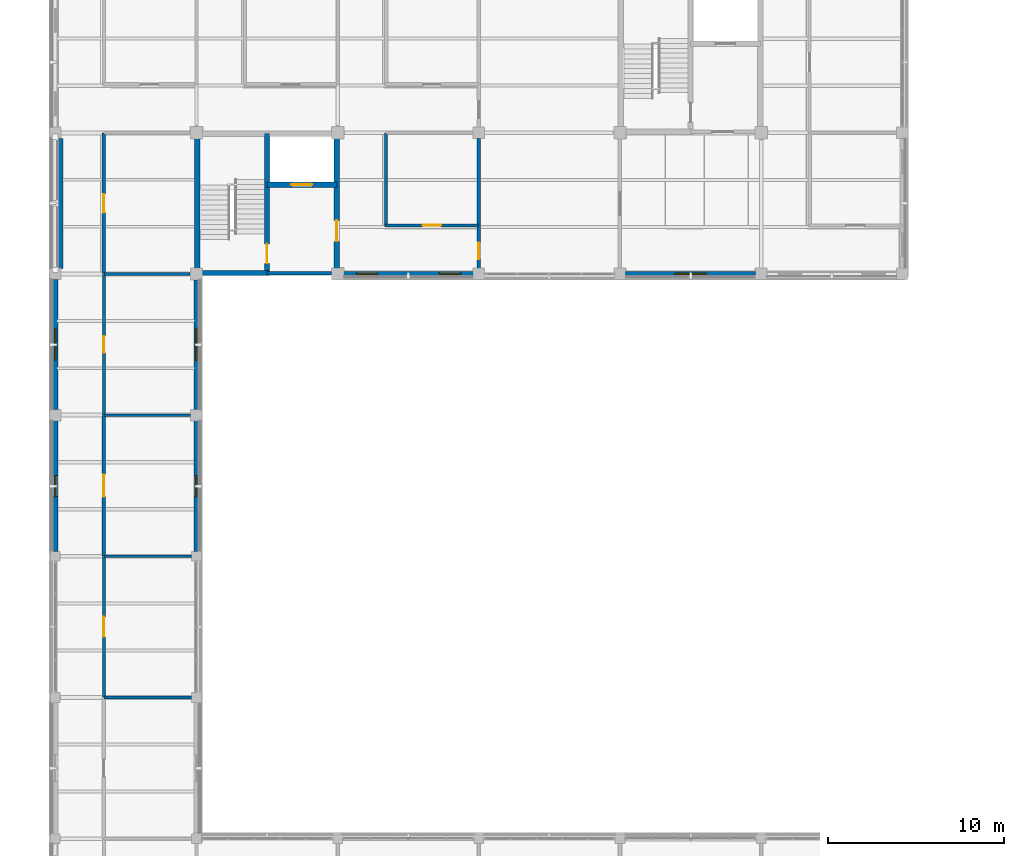
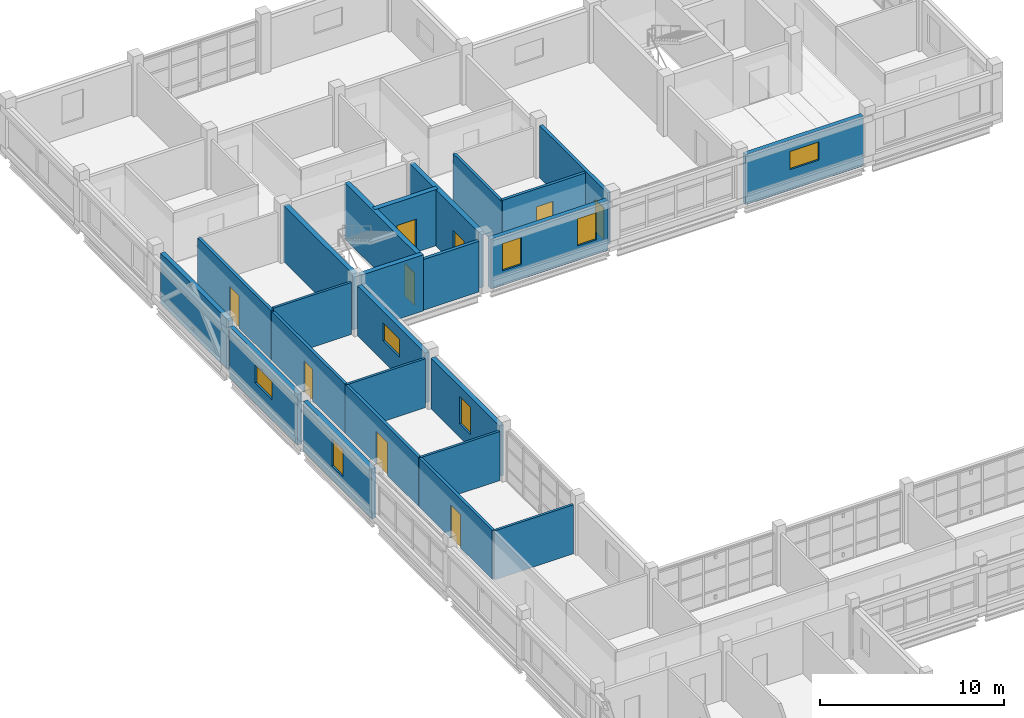
# One storey, part 78 of 107: 24 walls, 9 doors, 7 windows, 16 openings.
"""IFC4 building model written with IfcOpenShell, lengths in metres."""

from ifc_helpers import new_model, si_unit, derived_unit, direction, frame, frame_2d, origin, place, context, subcontext, project, spatial, rectangle, extrude, material, layer, layer_set, type_object, element, fill, save


model = new_model("IFC4")

# Units and contexts
model_context = context("Model", 3, precision=1e-05, world=origin(), true_north=direction((0.0, 1.0)))
body_context = subcontext(model_context, "Body", "Model", "MODEL_VIEW")
ifc_project = project(units=[si_unit("LENGTHUNIT", "METRE"), si_unit("AREAUNIT", "SQUARE_METRE"), si_unit("VOLUMEUNIT", "CUBIC_METRE"), si_unit("PLANEANGLEUNIT", "RADIAN"), si_unit("MASSUNIT", "GRAM", prefix="KILO"), derived_unit("THERMALTRANSMITTANCEUNIT", [(si_unit("MASSUNIT", "GRAM", prefix="KILO"), 1), (si_unit("TIMEUNIT", "SECOND"), -3), (si_unit("THERMODYNAMICTEMPERATUREUNIT", "KELVIN"), -1)])], contexts=[model_context])

# Site, building, storey
site_placement = place(None, origin())
site = spatial("IfcSite", under=ifc_project, at=site_placement, CompositionType="ELEMENT")
building_placement = place(site_placement, origin())
building = spatial("IfcBuilding", under=site, at=building_placement, Name="Veyamyaing Civic Hall", CompositionType="ELEMENT")
storey_placement = place(building_placement, frame((0.0, 0.0, 13.860107421875)))
storey = spatial("IfcBuildingStorey", under=building, at=storey_placement, Name="L03", CompositionType="ELEMENT", Elevation=13.860107421875)

# Wall, opening, window
ifc_material_1 = material(Name="Precast concrete C40/50", Category="concrete")
ifc_layer_1 = layer(ifc_material_1, 0.280029296875, Name="Precast concrete C40/50")
ifc_layer_set_1 = layer_set([ifc_layer_1], Name="Precast concrete C40/50")
wall_type_1 = type_object("IfcWallType", Name="WT-04", PredefinedType="SOLIDWALL", material=ifc_layer_set_1)
wall_1_placement = place(storey_placement, frame((0.0, 72.260009765625, 0.0), z_axis=(0.0, 0.0, 1.0), x_axis=(0.0, 1.0, 0.0)))
wall_1 = element("IfcWall", 1, at=wall_1_placement, inside=storey, type_object=wall_type_1, Name="Exterior facade wall WT-04 L03 W 1.10", PredefinedType="SOLIDWALL", context=body_context, shape_type="SweptSolid", body=[
    extrude(rectangle(XDim=7.429931640625, YDim=0.280029296875, at=frame_2d((3.71484375, 0.0))), origin(), (0.0, 0.0, 1.0), 3.2998046875),
])
opening_1_placement = place(wall_1_placement, frame((3.114990234375, 0.0, 0.89990234375)))
opening_1 = element("IfcOpeningElement", 2, at=opening_1_placement, cuts=wall_1, Name="Opening W-14", PredefinedType="OPENING", context=body_context, shape_type="SweptSolid", body=[
    extrude(rectangle(XDim=1.199951171875, YDim=1.800048828125, at=frame_2d((0.60009765625, 0.89990234375))), frame((0.0, 0.14990234375, 0.0), z_axis=(0.0, -1.0, 0.0), x_axis=(1.0, 0.0, 0.0)), (0.0, 0.0, 1.0), 0.300048828125),
])
ifc_material_2 = material(Name="Low-E insulated glass", Category="glass")
window_type_1 = type_object("IfcWindowType", Name="W-14", PartitioningType="SINGLE_PANEL", PredefinedType="WINDOW", material=ifc_material_2)
window_1_placement = place(opening_1_placement, origin())
window_1 = element("IfcWindow", 3, at=window_1_placement, inside=storey, type_object=window_type_1, Name="Facade window W-14 L03 W 1.10", OverallHeight=1.800048828125, OverallWidth=1.199951171875, PartitioningType="SINGLE_PANEL", PredefinedType="WINDOW", context=body_context, shape_type="SweptSolid", body=[
    extrude(rectangle(XDim=1.199951171875, YDim=1.800048828125, at=frame_2d((0.60009765625, 0.89990234375))), frame((0.0, 0.030029296875, 0.0), z_axis=(0.0, -1.0, 0.0), x_axis=(1.0, 0.0, 0.0)), (0.0, 0.0, 1.0), 0.06005859375),
])
fill(opening_1, window_1)

wall_2_placement = place(storey_placement, frame((8.0, 72.260009765625, 0.0), z_axis=(0.0, 0.0, 1.0), x_axis=(0.0, 1.0, 0.0)))
wall_2 = element("IfcWall", 4, at=wall_2_placement, inside=storey, type_object=wall_type_1, Name="Exterior facade wall WT-04 L03 E 1.10", PredefinedType="SOLIDWALL", context=body_context, shape_type="SweptSolid", body=[
    extrude(rectangle(XDim=7.429931640625, YDim=0.280029296875, at=frame_2d((3.71484375, 0.0))), origin(), (0.0, 0.0, 1.0), 3.364013671875),
])
opening_2_placement = place(wall_2_placement, frame((3.114990234375, 0.0, 0.89990234375)))
opening_2 = element("IfcOpeningElement", 5, at=opening_2_placement, cuts=wall_2, Name="Opening W-14", PredefinedType="OPENING", context=body_context, shape_type="SweptSolid", body=[
    extrude(rectangle(XDim=1.199951171875, YDim=1.800048828125, at=frame_2d((0.60009765625, 0.89990234375))), frame((0.0, 0.14990234375, 0.0), z_axis=(0.0, -1.0, 0.0), x_axis=(1.0, 0.0, 0.0)), (0.0, 0.0, 1.0), 0.300048828125),
])
window_2_placement = place(opening_2_placement, origin())
window_2 = element("IfcWindow", 6, at=window_2_placement, inside=storey, type_object=window_type_1, Name="Facade window W-14 L03 E 1.10", OverallHeight=1.800048828125, OverallWidth=1.199951171875, PartitioningType="SINGLE_PANEL", PredefinedType="WINDOW", context=body_context, shape_type="SweptSolid", body=[
    extrude(rectangle(XDim=1.199951171875, YDim=1.800048828125, at=frame_2d((0.60009765625, 0.89990234375))), frame((0.0, 0.030029296875, 0.0), z_axis=(0.0, -1.0, 0.0), x_axis=(1.0, 0.0, 0.0)), (0.0, 0.0, 1.0), 0.06005859375),
])
fill(opening_2, window_2)

wall_3_placement = place(storey_placement, frame((0.0, 80.31005859375, 0.0), z_axis=(0.0, 0.0, 1.0), x_axis=(0.0, 1.0, 0.0)))
wall_3 = element("IfcWall", 7, at=wall_3_placement, inside=storey, type_object=wall_type_1, Name="Exterior facade wall WT-04 L03 W 1.11", PredefinedType="SOLIDWALL", context=body_context, shape_type="SweptSolid", body=[
    extrude(rectangle(XDim=7.3798828125, YDim=0.280029296875, at=frame_2d((3.68994140625, 0.0))), origin(), (0.0, 0.0, 1.0), 3.364013671875),
])
opening_3_placement = place(wall_3_placement, frame((2.7900390625, 0.0, 1.35009765625)))
opening_3 = element("IfcOpeningElement", 8, at=opening_3_placement, cuts=wall_3, Name="Opening W-19", PredefinedType="OPENING", context=body_context, shape_type="SweptSolid", body=[
    extrude(rectangle(XDim=1.800048828125, YDim=1.199951171875, at=frame_2d((0.89990234375, 0.60009765625))), frame((0.0, 0.14990234375, 0.0), z_axis=(0.0, -1.0, 0.0), x_axis=(1.0, 0.0, 0.0)), (0.0, 0.0, 1.0), 0.300048828125),
])
window_type_2 = type_object("IfcWindowType", Name="W-19", PartitioningType="SINGLE_PANEL", PredefinedType="WINDOW", material=ifc_material_2)
window_3_placement = place(opening_3_placement, origin())
window_3 = element("IfcWindow", 9, at=window_3_placement, inside=storey, type_object=window_type_2, Name="Facade window W-19 L03 W 1.11", OverallHeight=1.199951171875, OverallWidth=1.800048828125, PartitioningType="SINGLE_PANEL", PredefinedType="WINDOW", context=body_context, shape_type="SweptSolid", body=[
    extrude(rectangle(XDim=1.800048828125, YDim=1.199951171875, at=frame_2d((0.89990234375, 0.60009765625))), frame((0.0, 0.030029296875, 0.0), z_axis=(0.0, -1.0, 0.0), x_axis=(1.0, 0.0, 0.0)), (0.0, 0.0, 1.0), 0.06005859375),
])
fill(opening_3, window_3)

wall_4_placement = place(storey_placement, frame((8.0, 80.31005859375, 0.0), z_axis=(0.0, 0.0, 1.0), x_axis=(0.0, 1.0, 0.0)))
wall_4 = element("IfcWall", 10, at=wall_4_placement, inside=storey, type_object=wall_type_1, Name="Exterior facade wall WT-04 L03 E 1.11", PredefinedType="SOLIDWALL", context=body_context, shape_type="SweptSolid", body=[
    extrude(rectangle(XDim=7.35498046875, YDim=0.280029296875, at=frame_2d((3.677490234375, 0.0))), origin(), (0.0, 0.0, 1.0), 3.303955078125),
])
opening_4_placement = place(wall_4_placement, frame((2.777587890625, 0.0, 1.35009765625)))
opening_4 = element("IfcOpeningElement", 11, at=opening_4_placement, cuts=wall_4, Name="Opening W-19", PredefinedType="OPENING", context=body_context, shape_type="SweptSolid", body=[
    extrude(rectangle(XDim=1.800048828125, YDim=1.199951171875, at=frame_2d((0.89990234375, 0.60009765625))), frame((0.0, 0.14990234375, 0.0), z_axis=(0.0, -1.0, 0.0), x_axis=(1.0, 0.0, 0.0)), (0.0, 0.0, 1.0), 0.300048828125),
])
window_4_placement = place(opening_4_placement, origin())
window_4 = element("IfcWindow", 12, at=window_4_placement, inside=storey, type_object=window_type_2, Name="Facade window W-19 L03 E 1.11", OverallHeight=1.199951171875, OverallWidth=1.800048828125, PartitioningType="SINGLE_PANEL", PredefinedType="WINDOW", context=body_context, shape_type="SweptSolid", body=[
    extrude(rectangle(XDim=1.800048828125, YDim=1.199951171875, at=frame_2d((0.89990234375, 0.60009765625))), frame((0.0, 0.030029296875, 0.0), z_axis=(0.0, -1.0, 0.0), x_axis=(1.0, 0.0, 0.0)), (0.0, 0.0, 1.0), 0.06005859375),
])
fill(opening_4, window_4)

# Wall
wall_5_placement = place(storey_placement, frame((0.300048828125, 88.31005859375, 0.0), z_axis=(0.0, 0.0, 1.0), x_axis=(0.0, 1.0, 0.0)))
element("IfcWall", 13, at=wall_5_placement, inside=storey, type_object=wall_type_1, Name="Exterior facade wall WT-04 L03 W 1.12", PredefinedType="SOLIDWALL", context=body_context, shape_type="SweptSolid", body=[
    extrude(rectangle(XDim=7.3798828125, YDim=0.280029296875, at=frame_2d((3.68994140625, 0.0))), origin(), (0.0, 0.0, 1.0), 3.303955078125),
])

# Wall, openings, windows
wall_6_placement = place(storey_placement, frame((16.3349609375, 88.0, 0.0), z_axis=(0.0, 0.0, 1.0), x_axis=(1.0, 0.0, 0.0)))
wall_6 = element("IfcWall", 14, at=wall_6_placement, inside=storey, type_object=wall_type_1, Name="Exterior facade wall WT-04 L03 S 3.12", PredefinedType="SOLIDWALL", context=body_context, shape_type="SweptSolid", body=[
    extrude(rectangle(XDim=7.35498046875, YDim=0.280029296875, at=frame_2d((3.677490234375, 0.0))), origin(), (0.0, 0.0, 1.0), 3.2998046875),
])
opening_5_placement = place(wall_6_placement, frame((0.723876953125, 0.0, 0.949951171875)))
opening_5 = element("IfcOpeningElement", 15, at=opening_5_placement, cuts=wall_6, Name="Opening W-14", PredefinedType="OPENING", context=body_context, shape_type="SweptSolid", body=[
    extrude(rectangle(XDim=1.199951171875, YDim=1.800048828125, at=frame_2d((0.60009765625, 0.89990234375))), frame((0.0, 0.14990234375, 0.0), z_axis=(0.0, -1.0, 0.0), x_axis=(1.0, 0.0, 0.0)), (0.0, 0.0, 1.0), 0.300048828125),
])
opening_6_placement = place(wall_6_placement, frame((5.43115234375, 0.0, 0.949951171875)))
opening_6 = element("IfcOpeningElement", 16, at=opening_6_placement, cuts=wall_6, Name="Opening W-14", PredefinedType="OPENING", context=body_context, shape_type="SweptSolid", body=[
    extrude(rectangle(XDim=1.199951171875, YDim=1.800048828125, at=frame_2d((0.60009765625, 0.89990234375))), frame((0.0, 0.14990234375, 0.0), z_axis=(0.0, -1.0, 0.0), x_axis=(1.0, 0.0, 0.0)), (0.0, 0.0, 1.0), 0.300048828125),
])
window_5_placement = place(opening_5_placement, origin())
window_5 = element("IfcWindow", 17, at=window_5_placement, inside=storey, type_object=window_type_1, Name="Facade window W-14 L03 S 3.12.1", OverallHeight=1.800048828125, OverallWidth=1.199951171875, PartitioningType="SINGLE_PANEL", PredefinedType="WINDOW", context=body_context, shape_type="SweptSolid", body=[
    extrude(rectangle(XDim=1.199951171875, YDim=1.800048828125, at=frame_2d((0.60009765625, 0.89990234375))), frame((0.0, 0.030029296875, 0.0), z_axis=(0.0, -1.0, 0.0), x_axis=(1.0, 0.0, 0.0)), (0.0, 0.0, 1.0), 0.06005859375),
])
fill(opening_5, window_5)
window_6_placement = place(opening_6_placement, origin())
window_6 = element("IfcWindow", 18, at=window_6_placement, inside=storey, type_object=window_type_1, Name="Facade window W-14 L03 S 3.12.2", OverallHeight=1.800048828125, OverallWidth=1.199951171875, PartitioningType="SINGLE_PANEL", PredefinedType="WINDOW", context=body_context, shape_type="SweptSolid", body=[
    extrude(rectangle(XDim=1.199951171875, YDim=1.800048828125, at=frame_2d((0.60009765625, 0.89990234375))), frame((0.0, 0.030029296875, 0.0), z_axis=(0.0, -1.0, 0.0), x_axis=(1.0, 0.0, 0.0)), (0.0, 0.0, 1.0), 0.06005859375),
])
fill(opening_6, window_6)

# Wall, opening, window
wall_7_placement = place(storey_placement, frame((32.31005859375, 88.0, 0.0), z_axis=(0.0, 0.0, 1.0), x_axis=(1.0, 0.0, 0.0)))
wall_7 = element("IfcWall", 19, at=wall_7_placement, inside=storey, type_object=wall_type_1, Name="Exterior facade wall WT-04 L03 S 5.12", PredefinedType="SOLIDWALL", context=body_context, shape_type="SweptSolid", body=[
    extrude(rectangle(XDim=7.3798828125, YDim=0.280029296875, at=frame_2d((3.68994140625, 0.0))), origin(), (0.0, 0.0, 1.0), 3.303955078125),
])
opening_7_placement = place(wall_7_placement, frame((2.7900390625, 0.0, 1.35009765625)))
opening_7 = element("IfcOpeningElement", 20, at=opening_7_placement, cuts=wall_7, Name="Opening W-19", PredefinedType="OPENING", context=body_context, shape_type="SweptSolid", body=[
    extrude(rectangle(XDim=1.800048828125, YDim=1.199951171875, at=frame_2d((0.89990234375, 0.60009765625))), frame((0.0, 0.14990234375, 0.0), z_axis=(0.0, -1.0, 0.0), x_axis=(1.0, 0.0, 0.0)), (0.0, 0.0, 1.0), 0.300048828125),
])
window_7_placement = place(opening_7_placement, origin())
window_7 = element("IfcWindow", 21, at=window_7_placement, inside=storey, type_object=window_type_2, Name="Facade window W-19 L03 S 5.12", OverallHeight=1.199951171875, OverallWidth=1.800048828125, PartitioningType="SINGLE_PANEL", PredefinedType="WINDOW", context=body_context, shape_type="SweptSolid", body=[
    extrude(rectangle(XDim=1.800048828125, YDim=1.199951171875, at=frame_2d((0.89990234375, 0.60009765625))), frame((0.0, 0.030029296875, 0.0), z_axis=(0.0, -1.0, 0.0), x_axis=(1.0, 0.0, 0.0)), (0.0, 0.0, 1.0), 0.06005859375),
])
fill(opening_7, window_7)

# Wall
ifc_material_3 = material(Name="Concrete C40/50", Category="concrete")
ifc_layer_2 = layer(ifc_material_3, 0.300048828125, Name="Concrete C40/50")
ifc_layer_set_2 = layer_set([ifc_layer_2], Name="Concrete C40/50")
wall_type_2 = type_object("IfcWallType", Name="WT-05", PredefinedType="SHEAR", material=ifc_layer_set_2)
wall_8_placement = place(storey_placement, frame((8.050048828125, 88.239990234375, 0.0), z_axis=(0.0, 0.0, 1.0), x_axis=(0.0, 1.0, 0.0)))
element("IfcWall", 22, at=wall_8_placement, inside=storey, type_object=wall_type_2, Name="Core shear wall WT-05 CORE-1 L03.W", PredefinedType="SHEAR", context=body_context, shape_type="SweptSolid", body=[
    extrude(rectangle(XDim=7.52001953125, YDim=0.300048828125, at=frame_2d((3.760009765625, 0.0))), origin(), (0.0, 0.0, 1.0), 3.724853515625),
])

# Wall, opening, door
wall_9_placement = place(storey_placement, frame((15.949951171875, 88.239990234375, 0.0), z_axis=(0.0, 0.0, 1.0), x_axis=(0.0, 1.0, 0.0)))
wall_9 = element("IfcWall", 23, at=wall_9_placement, inside=storey, type_object=wall_type_2, Name="Core shear wall WT-05 CORE-1 L03.E", PredefinedType="SHEAR", context=body_context, shape_type="SweptSolid", body=[
    extrude(rectangle(XDim=7.52001953125, YDim=0.300048828125, at=frame_2d((3.760009765625, 0.0))), origin(), (0.0, 0.0, 1.0), 3.724853515625),
])
opening_8_placement = place(wall_9_placement, frame((1.60009765625, 0.0, 0.0)))
opening_8 = element("IfcOpeningElement", 24, at=opening_8_placement, cuts=wall_9, Name="Opening D-04", PredefinedType="OPENING", context=body_context, shape_type="SweptSolid", body=[
    extrude(rectangle(XDim=1.199951171875, YDim=2.14990234375, at=frame_2d((0.60009765625, 1.074951171875))), frame((0.0, 0.159912109375, 0.0), z_axis=(0.0, -1.0, 0.0), x_axis=(1.0, 0.0, 0.0)), (0.0, 0.0, 1.0), 0.320068359375),
])
ifc_material_4 = material(Name="Galvanized steel S355J2", Category="steel")
door_type_1 = type_object("IfcDoorType", Name="D-04", OperationType="NOTDEFINED", PredefinedType="DOOR", material=ifc_material_4)
door_1_placement = place(opening_8_placement, frame((1.199951171875, 0.0, 0.0), z_axis=(0.0, 0.0, 1.0), x_axis=(-1.0, 0.0, 0.0)))
door_1 = element("IfcDoor", 25, at=door_1_placement, inside=storey, type_object=door_type_1, Name="Protected lobby fire door D-04 CORE-1 L03", OperationType="SINGLE_SWING_RIGHT", OverallHeight=2.14990234375, OverallWidth=1.199951171875, PredefinedType="DOOR", context=body_context, shape_type="SweptSolid", body=[
    extrude(rectangle(XDim=1.199951171875, YDim=2.14990234375, at=frame_2d((0.60009765625, 1.074951171875))), frame((0.0, 0.02490234375, 0.0), z_axis=(0.0, -1.0, 0.0), x_axis=(1.0, 0.0, 0.0)), (0.0, 0.0, 1.0), 0.050048828125),
])
fill(opening_8, door_1)

# Wall
wall_10_placement = place(storey_placement, frame((8.239990234375, 88.050048828125, 0.0), z_axis=(0.0, 0.0, 1.0), x_axis=(1.0, 0.0, 0.0)))
element("IfcWall", 26, at=wall_10_placement, inside=storey, type_object=wall_type_2, Name="Core shear wall WT-05 CORE-1 L03.SS", PredefinedType="SHEAR", context=body_context, shape_type="SweptSolid", body=[
    extrude(rectangle(XDim=3.909912109375, YDim=0.300048828125, at=frame_2d((1.955078125, 0.0))), origin(), (0.0, 0.0, 1.0), 3.724853515625),
])

# Wall, opening, door
wall_11_placement = place(storey_placement, frame((12.0, 88.050048828125, 0.0), z_axis=(0.0, 0.0, 1.0), x_axis=(0.0, 1.0, 0.0)))
wall_11 = element("IfcWall", 27, at=wall_11_placement, inside=storey, type_object=wall_type_2, Name="Core shear wall WT-05 CORE-1 L03.MID", PredefinedType="SHEAR", context=body_context, shape_type="SweptSolid", body=[
    extrude(rectangle(XDim=7.89990234375, YDim=0.300048828125, at=frame_2d((3.949951171875, 0.0))), origin(), (0.0, 0.0, 1.0), 3.724853515625),
])
opening_9_placement = place(wall_11_placement, frame((0.550048828125, 0.0, 0.0)))
opening_9 = element("IfcOpeningElement", 28, at=opening_9_placement, cuts=wall_11, Name="Opening D-03", PredefinedType="OPENING", context=body_context, shape_type="SweptSolid", body=[
    extrude(rectangle(XDim=1.10009765625, YDim=2.14990234375, at=frame_2d((0.550048828125, 1.074951171875))), frame((0.0, 0.159912109375, 0.0), z_axis=(0.0, -1.0, 0.0), x_axis=(1.0, 0.0, 0.0)), (0.0, 0.0, 1.0), 0.320068359375),
])
door_type_2 = type_object("IfcDoorType", Name="D-03", OperationType="NOTDEFINED", PredefinedType="DOOR", material=ifc_material_4)
door_2_placement = place(opening_9_placement, origin())
door_2 = element("IfcDoor", 29, at=door_2_placement, inside=storey, type_object=door_type_2, Name="Exit stair fire door D-03 ST-01 L03", OperationType="SINGLE_SWING_LEFT", OverallHeight=2.14990234375, OverallWidth=1.10009765625, PredefinedType="DOOR", context=body_context, shape_type="SweptSolid", body=[
    extrude(rectangle(XDim=1.10009765625, YDim=2.14990234375, at=frame_2d((0.550048828125, 1.074951171875))), frame((0.0, 0.02490234375, 0.0), z_axis=(0.0, -1.0, 0.0), x_axis=(1.0, 0.0, 0.0)), (0.0, 0.0, 1.0), 0.050048828125),
])
fill(opening_9, door_2)

wall_12_placement = place(storey_placement, frame((12.0, 93.050048828125, 0.0), z_axis=(0.0, 0.0, 1.0), x_axis=(1.0, 0.0, 0.0)))
wall_12 = element("IfcWall", 30, at=wall_12_placement, inside=storey, type_object=wall_type_2, Name="Core shear wall WT-05 CORE-1 L03.LFT", PredefinedType="SHEAR", context=body_context, shape_type="SweptSolid", body=[
    extrude(rectangle(XDim=3.949951171875, YDim=0.300048828125, at=frame_2d((1.97509765625, 0.0))), origin(), (0.0, 0.0, 1.0), 3.724853515625),
])
opening_10_placement = place(wall_12_placement, frame((1.375, 0.0, 0.0)))
opening_10 = element("IfcOpeningElement", 31, at=opening_10_placement, cuts=wall_12, Name="Opening LD-02", PredefinedType="OPENING", context=body_context, shape_type="SweptSolid", body=[
    extrude(rectangle(XDim=1.199951171875, YDim=2.199951171875, at=frame_2d((0.60009765625, 1.10009765625))), frame((0.0, 0.159912109375, 0.0), z_axis=(0.0, -1.0, 0.0), x_axis=(1.0, 0.0, 0.0)), (0.0, 0.0, 1.0), 0.320068359375),
])
door_type_3 = type_object("IfcDoorType", Name="LD-02", OperationType="SLIDING_TO_LEFT", PredefinedType="DOOR", material=ifc_material_4)
door_3_placement = place(opening_10_placement, origin())
door_3 = element("IfcDoor", 32, at=door_3_placement, inside=storey, type_object=door_type_3, Name="Lift sliding landing door LD-02 FL-01 L03", OperationType="SLIDING_TO_LEFT", OverallHeight=2.199951171875, OverallWidth=1.199951171875, PredefinedType="DOOR", context=body_context, shape_type="SweptSolid", body=[
    extrude(rectangle(XDim=1.199951171875, YDim=2.199951171875, at=frame_2d((0.60009765625, 1.10009765625))), frame((0.0, 0.02490234375, 0.0), z_axis=(0.0, -1.0, 0.0), x_axis=(1.0, 0.0, 0.0)), (0.0, 0.0, 1.0), 0.050048828125),
])
fill(opening_10, door_3)

# Wall
ifc_layer_3 = layer(ifc_material_3, 0.199951171875, Name="Concrete C40/50")
ifc_layer_set_3 = layer_set([ifc_layer_3], Name="Concrete C40/50")
wall_type_3 = type_object("IfcWallType", Name="WT-06", PredefinedType="PARTITIONING", material=ifc_layer_set_3)
wall_13_placement = place(storey_placement, frame((12.0, 88.050048828125, 0.0), z_axis=(0.0, 0.0, 1.0), x_axis=(1.0, 0.0, 0.0)))
element("IfcWall", 33, at=wall_13_placement, inside=storey, type_object=wall_type_3, Name="Firefighting lift lobby wall WT-06 CORE-1 L03", PredefinedType="PARTITIONING", context=body_context, shape_type="SweptSolid", body=[
    extrude(rectangle(XDim=3.659912109375, YDim=0.199951171875, at=frame_2d((1.830078125, 0.0))), origin(), (0.0, 0.0, 1.0), 3.35986328125),
])

# Wall, opening, door
wall_14_placement = place(storey_placement, frame((24.0, 88.31494140625, 0.0), z_axis=(0.0, 0.0, 1.0), x_axis=(0.0, 1.0, 0.0)))
wall_14 = element("IfcWall", 34, at=wall_14_placement, inside=storey, type_object=wall_type_3, Name="Interior partition wall WT-06 L03.7", PredefinedType="PARTITIONING", context=body_context, shape_type="SweptSolid", body=[
    extrude(rectangle(XDim=7.3701171875, YDim=0.199951171875, at=frame_2d((3.68505859375, 0.0))), origin(), (0.0, 0.0, 1.0), 3.451904296875),
])
opening_11_placement = place(wall_14_placement, frame((0.52001953125, 0.0, 0.0)))
opening_11 = element("IfcOpeningElement", 35, at=opening_11_placement, cuts=wall_14, Name="Opening D-30", PredefinedType="OPENING", context=body_context, shape_type="SweptSolid", body=[
    extrude(rectangle(XDim=0.93994140625, YDim=2.1201171875, at=frame_2d((0.469970703125, 1.06005859375))), frame((0.0, 0.10986328125, 0.0), z_axis=(0.0, -1.0, 0.0), x_axis=(1.0, 0.0, 0.0)), (0.0, 0.0, 1.0), 0.219970703125),
])
ifc_material_5 = material(Name="Teak-veneered acoustic timber", Category="wood")
door_type_4 = type_object("IfcDoorType", Name="D-30", OperationType="NOTDEFINED", PredefinedType="DOOR", material=ifc_material_5)
door_4_placement = place(opening_11_placement, frame((0.93994140625, 0.0, 0.0), z_axis=(0.0, 0.0, 1.0), x_axis=(-1.0, 0.0, 0.0)))
door_4 = element("IfcDoor", 36, at=door_4_placement, inside=storey, type_object=door_type_4, Name="Interior door D-30 L03.7", OperationType="SINGLE_SWING_RIGHT", OverallHeight=2.1201171875, OverallWidth=0.93994140625, PredefinedType="DOOR", context=body_context, shape_type="SweptSolid", body=[
    extrude(rectangle(XDim=0.93994140625, YDim=2.1201171875, at=frame_2d((0.469970703125, 1.06005859375))), frame((0.0, 0.02490234375, 0.0), z_axis=(0.0, -1.0, 0.0), x_axis=(1.0, 0.0, 0.0)), (0.0, 0.0, 1.0), 0.050048828125),
])
fill(opening_11, door_4)

ifc_material_6 = material(Name="Gypsum board on acoustic steel stud", Category="steel")
ifc_layer_4 = layer(ifc_material_6, 0.175048828125, Name="Gypsum board on acoustic steel stud")
ifc_layer_set_4 = layer_set([ifc_layer_4], Name="Gypsum board on acoustic steel stud")
wall_type_4 = type_object("IfcWallType", Name="WT-07", PredefinedType="PARTITIONING", material=ifc_layer_set_4)
wall_15_placement = place(storey_placement, frame((2.75, 64.02001953125, 0.0), z_axis=(0.0, 0.0, 1.0), x_axis=(0.0, 1.0, 0.0)))
wall_15 = element("IfcWall", 37, at=wall_15_placement, inside=storey, type_object=wall_type_4, Name="Corridor gallery partition WT-07 L03.3.1", PredefinedType="PARTITIONING", context=body_context, shape_type="SweptSolid", body=[
    extrude(rectangle(XDim=7.9599609375, YDim=0.175048828125, at=frame_2d((3.97998046875, 0.0))), origin(), (0.0, 0.0, 1.0), 3.246826171875),
])
opening_12_placement = place(wall_15_placement, frame((3.419921875, 0.0, 0.0)))
opening_12 = element("IfcOpeningElement", 38, at=opening_12_placement, cuts=wall_15, Name="Opening D-26", PredefinedType="OPENING", context=body_context, shape_type="SweptSolid", body=[
    extrude(rectangle(XDim=1.1201171875, YDim=2.219970703125, at=frame_2d((0.56005859375, 1.10986328125))), frame((0.0, 0.097412109375, 0.0), z_axis=(0.0, -1.0, 0.0), x_axis=(1.0, 0.0, 0.0)), (0.0, 0.0, 1.0), 0.195068359375),
])
door_type_5 = type_object("IfcDoorType", Name="D-26", OperationType="NOTDEFINED", PredefinedType="DOOR", material=ifc_material_5)
door_5_placement = place(opening_12_placement, frame((1.1201171875, 0.0, 0.0), z_axis=(0.0, 0.0, 1.0), x_axis=(-1.0, 0.0, 0.0)))
door_5 = element("IfcDoor", 39, at=door_5_placement, inside=storey, type_object=door_type_5, Name="Gallery office door D-26 L03.3", OperationType="SINGLE_SWING_LEFT", OverallHeight=2.219970703125, OverallWidth=1.1201171875, PredefinedType="DOOR", context=body_context, shape_type="SweptSolid", body=[
    extrude(rectangle(XDim=1.1201171875, YDim=2.219970703125, at=frame_2d((0.56005859375, 1.10986328125))), frame((0.0, 0.02490234375, 0.0), z_axis=(0.0, -1.0, 0.0), x_axis=(1.0, 0.0, 0.0)), (0.0, 0.0, 1.0), 0.050048828125),
])
fill(opening_12, door_5)

wall_16_placement = place(storey_placement, frame((2.75, 80.02001953125, 0.0), z_axis=(0.0, 0.0, 1.0), x_axis=(0.0, 1.0, 0.0)))
wall_16 = element("IfcWall", 40, at=wall_16_placement, inside=storey, type_object=wall_type_4, Name="Corridor gallery partition WT-07 L03.5.1", PredefinedType="PARTITIONING", context=body_context, shape_type="SweptSolid", body=[
    extrude(rectangle(XDim=7.9599609375, YDim=0.175048828125, at=frame_2d((3.97998046875, 0.0))), origin(), (0.0, 0.0, 1.0), 3.240966796875),
])
opening_13_placement = place(wall_16_placement, frame((3.510009765625, 0.0, 0.0)))
opening_13 = element("IfcOpeningElement", 41, at=opening_13_placement, cuts=wall_16, Name="Opening D-30", PredefinedType="OPENING", context=body_context, shape_type="SweptSolid", body=[
    extrude(rectangle(XDim=0.93994140625, YDim=2.1201171875, at=frame_2d((0.469970703125, 1.06005859375))), frame((0.0, 0.097412109375, 0.0), z_axis=(0.0, -1.0, 0.0), x_axis=(1.0, 0.0, 0.0)), (0.0, 0.0, 1.0), 0.195068359375),
])
door_6_placement = place(opening_13_placement, frame((0.93994140625, 0.0, 0.0), z_axis=(0.0, 0.0, 1.0), x_axis=(-1.0, 0.0, 0.0)))
door_6 = element("IfcDoor", 42, at=door_6_placement, inside=storey, type_object=door_type_4, Name="Gallery office door D-30 L03.5", OperationType="SINGLE_SWING_LEFT", OverallHeight=2.1201171875, OverallWidth=0.93994140625, PredefinedType="DOOR", context=body_context, shape_type="SweptSolid", body=[
    extrude(rectangle(XDim=0.93994140625, YDim=2.1201171875, at=frame_2d((0.469970703125, 1.06005859375))), frame((0.0, 0.02490234375, 0.0), z_axis=(0.0, -1.0, 0.0), x_axis=(1.0, 0.0, 0.0)), (0.0, 0.0, 1.0), 0.050048828125),
])
fill(opening_13, door_6)

wall_17_placement = place(storey_placement, frame((18.699951171875, 90.75, 0.0), z_axis=(0.0, 0.0, 1.0), x_axis=(1.0, 0.0, 0.0)))
wall_17 = element("IfcWall", 43, at=wall_17_placement, inside=storey, type_object=wall_type_4, Name="Corridor gallery partition WT-07 L03.11.1", PredefinedType="PARTITIONING", context=body_context, shape_type="SweptSolid", body=[
    extrude(rectangle(XDim=5.280029296875, YDim=0.175048828125, at=frame_2d((2.64013671875, 0.0))), origin(), (0.0, 0.0, 1.0), 3.35791015625),
])
opening_14_placement = place(wall_17_placement, frame((2.1201171875, 0.0, 0.0)))
opening_14 = element("IfcOpeningElement", 44, at=opening_14_placement, cuts=wall_17, Name="Opening D-24", PredefinedType="OPENING", context=body_context, shape_type="SweptSolid", body=[
    extrude(rectangle(XDim=1.0400390625, YDim=2.179931640625, at=frame_2d((0.52001953125, 1.08984375))), frame((0.0, 0.097412109375, 0.0), z_axis=(0.0, -1.0, 0.0), x_axis=(1.0, 0.0, 0.0)), (0.0, 0.0, 1.0), 0.195068359375),
])
door_type_6 = type_object("IfcDoorType", Name="D-24", OperationType="NOTDEFINED", PredefinedType="DOOR", material=ifc_material_5)
door_7_placement = place(opening_14_placement, origin())
door_7 = element("IfcDoor", 45, at=door_7_placement, inside=storey, type_object=door_type_6, Name="Gallery office door D-24 L03.11", OperationType="SINGLE_SWING_LEFT", OverallHeight=2.179931640625, OverallWidth=1.0400390625, PredefinedType="DOOR", context=body_context, shape_type="SweptSolid", body=[
    extrude(rectangle(XDim=1.0400390625, YDim=2.179931640625, at=frame_2d((0.52001953125, 1.08984375))), frame((0.0, 0.02490234375, 0.0), z_axis=(0.0, -1.0, 0.0), x_axis=(1.0, 0.0, 0.0)), (0.0, 0.0, 1.0), 0.050048828125),
])
fill(opening_14, door_7)

# Walls
wall_18_placement = place(storey_placement, frame((18.75, 90.699951171875, 0.0), z_axis=(0.0, 0.0, 1.0), x_axis=(0.0, 1.0, 0.0)))
element("IfcWall", 46, at=wall_18_placement, inside=storey, type_object=wall_type_4, Name="Corridor gallery partition WT-07 L03.11.2", PredefinedType="PARTITIONING", context=body_context, shape_type="SweptSolid", body=[
    extrude(rectangle(XDim=5.280029296875, YDim=0.175048828125, at=frame_2d((2.64013671875, 0.0))), origin(), (0.0, 0.0, 1.0), 3.240966796875),
])
ifc_material_7 = material(Name="Gypsum board on steel stud", Category="steel")
ifc_layer_5 = layer(ifc_material_7, 0.14990234375, Name="Gypsum board on steel stud")
ifc_layer_set_5 = layer_set([ifc_layer_5], Name="Gypsum board on steel stud")
wall_type_5 = type_object("IfcWallType", Name="WT-08", PredefinedType="PARTITIONING", material=ifc_layer_set_5)
wall_19_placement = place(storey_placement, frame((2.75, 64.0, 0.0), z_axis=(0.0, 0.0, 1.0), x_axis=(1.0, 0.0, 0.0)))
element("IfcWall", 47, at=wall_19_placement, inside=storey, type_object=wall_type_5, Name="Gallery office end partition WT-08 L03.2.2", PredefinedType="PARTITIONING", context=body_context, shape_type="SweptSolid", body=[
    extrude(rectangle(XDim=4.965087890625, YDim=0.14990234375, at=frame_2d((2.482421875, 0.0))), origin(), (0.0, 0.0, 1.0), 3.246826171875),
])
wall_20_placement = place(storey_placement, frame((2.75, 72.0, 0.0), z_axis=(0.0, 0.0, 1.0), x_axis=(1.0, 0.0, 0.0)))
element("IfcWall", 48, at=wall_20_placement, inside=storey, type_object=wall_type_5, Name="Gallery office end partition WT-08 L03.3.2", PredefinedType="PARTITIONING", context=body_context, shape_type="SweptSolid", body=[
    extrude(rectangle(XDim=4.965087890625, YDim=0.14990234375, at=frame_2d((2.482421875, 0.0))), origin(), (0.0, 0.0, 1.0), 3.2529296875),
])
wall_21_placement = place(storey_placement, frame((2.75, 80.0, 0.0), z_axis=(0.0, 0.0, 1.0), x_axis=(1.0, 0.0, 0.0)))
element("IfcWall", 49, at=wall_21_placement, inside=storey, type_object=wall_type_5, Name="Gallery office end partition WT-08 L03.4.2", PredefinedType="PARTITIONING", context=body_context, shape_type="SweptSolid", body=[
    extrude(rectangle(XDim=4.9150390625, YDim=0.14990234375, at=frame_2d((2.45751953125, 0.0))), origin(), (0.0, 0.0, 1.0), 3.240966796875),
])
wall_22_placement = place(storey_placement, frame((2.75, 88.0, 0.0), z_axis=(0.0, 0.0, 1.0), x_axis=(1.0, 0.0, 0.0)))
element("IfcWall", 50, at=wall_22_placement, inside=storey, type_object=wall_type_5, Name="Gallery office end partition WT-08 L03.5.2", PredefinedType="PARTITIONING", context=body_context, shape_type="SweptSolid", body=[
    extrude(rectangle(XDim=4.889892578125, YDim=0.14990234375, at=frame_2d((2.44482421875, 0.0))), origin(), (0.0, 0.0, 1.0), 3.451904296875),
])

# Wall, opening, door
ifc_material_8 = material(Name="Gypsum board on double acoustic stud")
ifc_layer_6 = layer(ifc_material_8, 0.18505859375, Name="Gypsum board on double acoustic stud")
ifc_layer_set_6 = layer_set([ifc_layer_6], Name="Gypsum board on double acoustic stud")
wall_type_6 = type_object("IfcWallType", Name="WT-19", PredefinedType="PARTITIONING", material=ifc_layer_set_6)
wall_23_placement = place(storey_placement, frame((2.75, 72.02001953125, 0.0), z_axis=(0.0, 0.0, 1.0), x_axis=(0.0, 1.0, 0.0)))
wall_23 = element("IfcWall", 51, at=wall_23_placement, inside=storey, type_object=wall_type_6, Name="Corridor gallery partition WT-19 L03.4.1", PredefinedType="PARTITIONING", context=body_context, shape_type="SweptSolid", body=[
    extrude(rectangle(XDim=7.9599609375, YDim=0.18505859375, at=frame_2d((3.97998046875, 0.0))), origin(), (0.0, 0.0, 1.0), 3.240966796875),
])
opening_15_placement = place(wall_23_placement, frame((3.35498046875, 0.0, 0.0)))
opening_15 = element("IfcOpeningElement", 52, at=opening_15_placement, cuts=wall_23, Name="Opening D-29", PredefinedType="OPENING", context=body_context, shape_type="SweptSolid", body=[
    extrude(rectangle(XDim=1.25, YDim=2.179931640625, at=frame_2d((0.625, 1.08984375))), frame((0.0, 0.1025390625, 0.0), z_axis=(0.0, -1.0, 0.0), x_axis=(1.0, 0.0, 0.0)), (0.0, 0.0, 1.0), 0.205078125),
])
door_type_7 = type_object("IfcDoorType", Name="D-29", OperationType="NOTDEFINED", PredefinedType="DOOR", material=ifc_material_5)
door_8_placement = place(opening_15_placement, frame((1.25, 0.0, 0.0), z_axis=(0.0, 0.0, 1.0), x_axis=(-1.0, 0.0, 0.0)))
door_8 = element("IfcDoor", 53, at=door_8_placement, inside=storey, type_object=door_type_7, Name="Gallery office door D-29 L03.4", OperationType="SINGLE_SWING_RIGHT", OverallHeight=2.179931640625, OverallWidth=1.25, PredefinedType="DOOR", context=body_context, shape_type="SweptSolid", body=[
    extrude(rectangle(XDim=1.25, YDim=2.179931640625, at=frame_2d((0.625, 1.08984375))), frame((0.0, 0.02490234375, 0.0), z_axis=(0.0, -1.0, 0.0), x_axis=(1.0, 0.0, 0.0)), (0.0, 0.0, 1.0), 0.050048828125),
])
fill(opening_15, door_8)

wall_24_placement = place(storey_placement, frame((2.75, 88.02001953125, 0.0), z_axis=(0.0, 0.0, 1.0), x_axis=(0.0, 1.0, 0.0)))
wall_24 = element("IfcWall", 54, at=wall_24_placement, inside=storey, type_object=wall_type_6, Name="Corridor gallery partition WT-19 L03.6.1", PredefinedType="PARTITIONING", context=body_context, shape_type="SweptSolid", body=[
    extrude(rectangle(XDim=7.9599609375, YDim=0.18505859375, at=frame_2d((3.97998046875, 0.0))), origin(), (0.0, 0.0, 1.0), 3.246826171875),
])
opening_16_placement = place(wall_24_placement, frame((3.455078125, 0.0, 0.0)))
opening_16 = element("IfcOpeningElement", 55, at=opening_16_placement, cuts=wall_24, Name="Opening D-12", PredefinedType="OPENING", context=body_context, shape_type="SweptSolid", body=[
    extrude(rectangle(XDim=1.050048828125, YDim=2.14990234375, at=frame_2d((0.52490234375, 1.074951171875))), frame((0.0, 0.1025390625, 0.0), z_axis=(0.0, -1.0, 0.0), x_axis=(1.0, 0.0, 0.0)), (0.0, 0.0, 1.0), 0.205078125),
])
door_type_8 = type_object("IfcDoorType", Name="D-12", OperationType="NOTDEFINED", PredefinedType="DOOR", material=ifc_material_5)
door_9_placement = place(opening_16_placement, frame((1.050048828125, 0.0, 0.0), z_axis=(0.0, 0.0, 1.0), x_axis=(-1.0, 0.0, 0.0)))
door_9 = element("IfcDoor", 56, at=door_9_placement, inside=storey, type_object=door_type_8, Name="Gallery office door D-12 L03.6", OperationType="SINGLE_SWING_RIGHT", OverallHeight=2.14990234375, OverallWidth=1.050048828125, PredefinedType="DOOR", context=body_context, shape_type="SweptSolid", body=[
    extrude(rectangle(XDim=1.050048828125, YDim=2.14990234375, at=frame_2d((0.52490234375, 1.074951171875))), frame((0.0, 0.02490234375, 0.0), z_axis=(0.0, -1.0, 0.0), x_axis=(1.0, 0.0, 0.0)), (0.0, 0.0, 1.0), 0.050048828125),
])
fill(opening_16, door_9)

save(model, "model.ifc")
